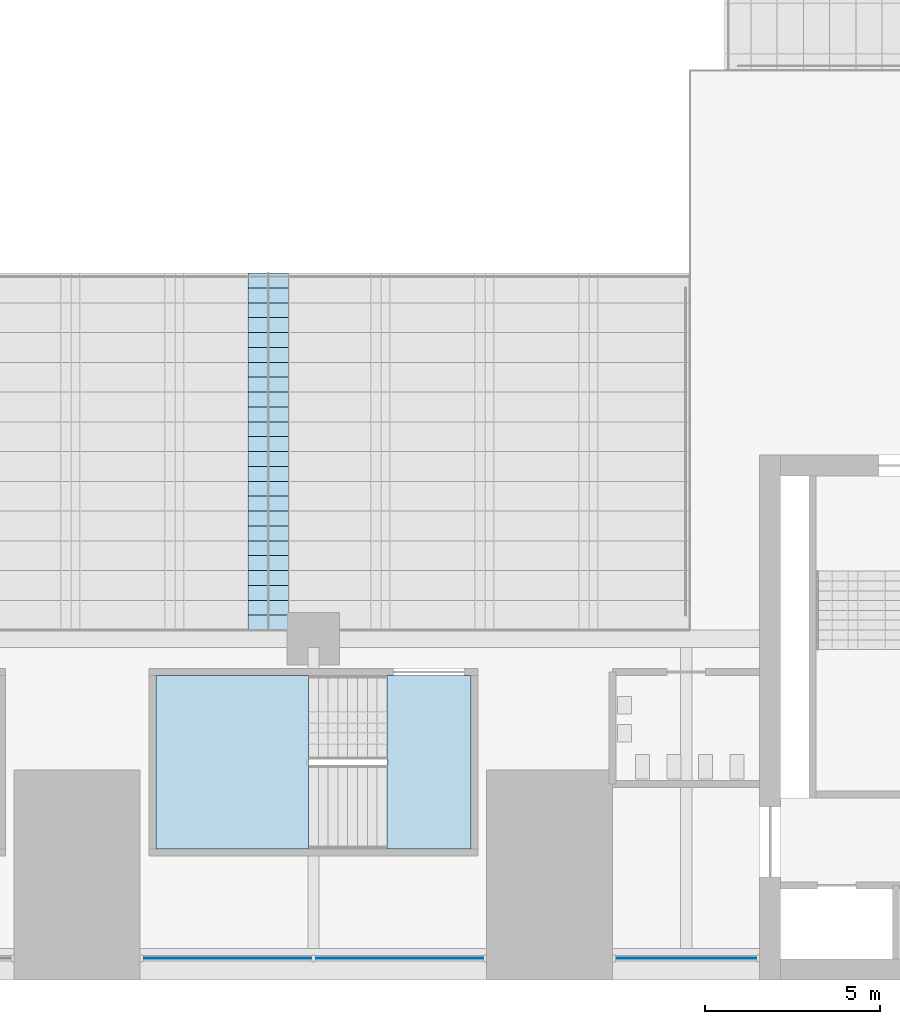
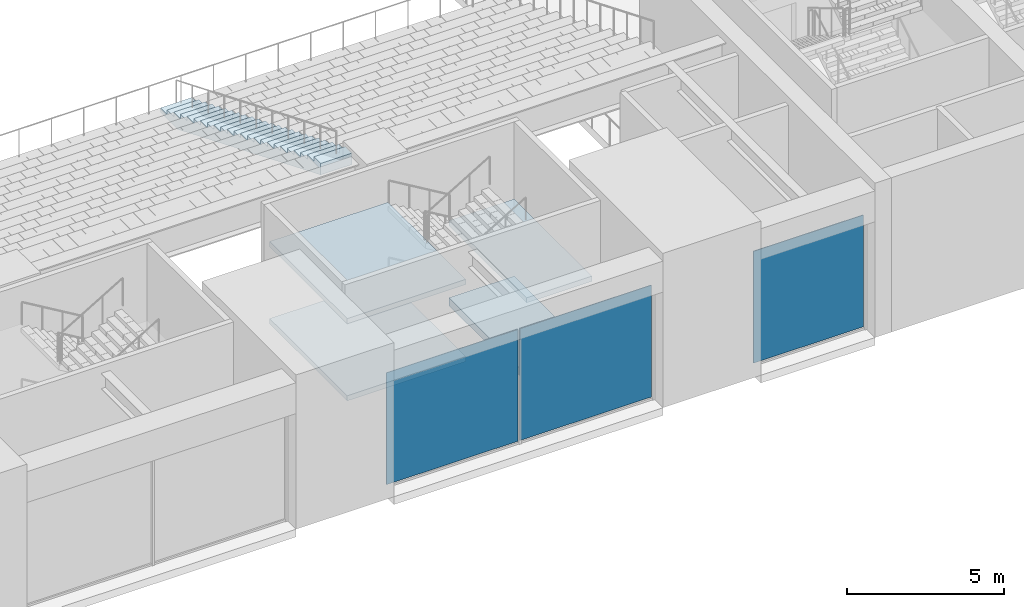
# One storey, part 22 of 61: 5 slabs, 3 plates, 3 elements without a shape of their own.
"""IFC4 building model written with IfcOpenShell, lengths in metres."""

from ifc_helpers import new_model, si_unit, direction, frame, origin, origin_2d, place, context, subcontext, project, spatial, polyline, rectangle, outline, extrude, material, layer, layer_set, type_object, element, aggregate, save


model = new_model("IFC4")

# Units and contexts
model_context = context("Model", 3, precision=1e-05, world=origin(), true_north=direction((0.0, 1.0)))
body_context = subcontext(model_context, "Body", "Model", "MODEL_VIEW")
ifc_project = project(units=[si_unit("LENGTHUNIT", "METRE"), si_unit("AREAUNIT", "SQUARE_METRE"), si_unit("VOLUMEUNIT", "CUBIC_METRE"), si_unit("PLANEANGLEUNIT", "RADIAN"), si_unit("MASSUNIT", "GRAM", prefix="KILO")], contexts=[model_context])

# Site, building, storey
site_placement = place(None, origin())
site = spatial("IfcSite", under=ifc_project, at=site_placement, CompositionType="ELEMENT")
building_placement = place(site_placement, origin())
building = spatial("IfcBuilding", under=site, at=building_placement, Name="Corbelhall Arena Tower", CompositionType="ELEMENT")
storey_placement = place(building_placement, frame((0.0, 0.0, 31.0)))
storey = spatial("IfcBuildingStorey", under=building, at=storey_placement, Name="L04", CompositionType="ELEMENT", Elevation=31.0)

# Slab
ifc_material_1 = material(Name="Precast concrete C40/50", Category="concrete")
ifc_layer_1 = layer(ifc_material_1, 0.25)
ifc_layer_set_1 = layer_set([ifc_layer_1], Name="AISLE STEPS (BC 1029)")
slab_type_1 = type_object("IfcSlabType", Name="AISLE STEPS (BC 1029)", PredefinedType="FLOOR", material=ifc_layer_set_1)
slab_1_placement = place(storey_placement, frame((18.9599609375, -18.800048828125, 1.625), z_axis=(0.0, 0.0, 1.0), x_axis=(0.0, -1.0, 0.0)))
element("IfcSlab", 1, at=slab_1_placement, inside=storey, type_object=slab_type_1, Name="Aisle steps US-AIS1", PredefinedType="FLOOR", context=body_context, shape_type="SweptSolid", body=[
    extrude(outline(polyline([(0.0, 0.0), (0.0, 0.175048828125), (0.425048828125, 0.175048828125), (0.425048828125, 0.35009765625), (0.85009765625, 0.35009765625), (0.85009765625, 0.52490234375), (1.27490234375, 0.52490234375), (1.27490234375, 0.699951171875), (1.699951171875, 0.699951171875), (1.699951171875, 0.875), (2.125, 0.875), (2.125, 1.050048828125), (2.550048828125, 1.050048828125), (2.550048828125, 1.22509765625), (2.97509765625, 1.22509765625), (2.97509765625, 1.39990234375), (3.39990234375, 1.39990234375), (3.39990234375, 1.574951171875), (3.824951171875, 1.574951171875), (3.824951171875, 1.75), (4.25, 1.75), (4.25, 1.925048828125), (4.675048828125, 1.925048828125), (4.675048828125, 2.10009765625), (5.10009765625, 2.10009765625), (5.10009765625, 2.27490234375), (5.52490234375, 2.27490234375), (5.52490234375, 2.449951171875), (5.949951171875, 2.449951171875), (5.949951171875, 2.625), (6.375, 2.625), (6.375, 2.800048828125), (6.800048828125, 2.800048828125), (6.800048828125, 2.97509765625), (7.22509765625, 2.97509765625), (7.22509765625, 3.14990234375), (7.64990234375, 3.14990234375), (7.64990234375, 3.324951171875), (8.074951171875, 3.324951171875), (8.074951171875, 3.5), (8.5, 3.5), (8.5, 3.675048828125), (8.925048828125, 3.675048828125), (8.925048828125, 3.85009765625), (9.35009765625, 3.85009765625), (9.35009765625, 4.02490234375), (9.77490234375, 4.02490234375), (9.77490234375, 4.199951171875), (10.199951171875, 4.199951171875), (10.199951171875, 4.375), (10.199951171875, 3.754638671875), (1.081787109375, 0.0), (0.0, 0.0)])), frame((0.0, 0.580078125, 0.0), z_axis=(0.0, -1.0, 0.0), x_axis=(1.0, 0.0, 0.0)), (0.0, 0.0, 1.0), 1.159912109375),
])

# Stair, slabs
ifc_material_2 = material(Name="Reinforced concrete C40/50", Category="concrete")
stair_type = type_object("IfcStairType", Name="AR-EXIT-STAIR", PredefinedType="HALF_TURN_STAIR", material=ifc_material_2)
stair_placement = place(storey_placement, origin())
stair = element("IfcStair", 2, at=stair_placement, inside=storey, type_object=stair_type, Name="L04 exit stair AS16", PredefinedType="HALF_TURN_STAIR")
ifc_layer_2 = layer(ifc_material_2, 0.199951171875)
ifc_layer_set_2 = layer_set([ifc_layer_2], Name="AR-EXIT-LANDING")
slab_type_2 = type_object("IfcSlabType", Name="AR-EXIT-LANDING", PredefinedType="LANDING", material=ifc_layer_set_2)
slab_2_placement = place(storey_placement, frame((0.0, 0.0, 1.300048828125)))
slab_2 = element("IfcSlab", 3, at=slab_2_placement, type_object=slab_type_2, Name="AS16 landing 1", PredefinedType="LANDING", context=body_context, shape_type="SweptSolid", body=[
    extrude(outline(polyline([(20.110107421875, -30.300048828125), (15.75, -30.300048828125), (15.75, -35.25), (20.110107421875, -35.25), (20.110107421875, -30.300048828125)])), origin(), (0.0, 0.0, 1.0), 0.199951171875),
])
slab_3_placement = place(storey_placement, frame((0.0, 0.0, 2.800048828125)))
slab_3 = element("IfcSlab", 4, at=slab_3_placement, type_object=slab_type_2, Name="AS16 landing 2", PredefinedType="LANDING", context=body_context, shape_type="SweptSolid", body=[
    extrude(outline(polyline([(24.75, -30.300048828125), (22.35009765625, -30.300048828125), (22.35009765625, -35.25), (24.75, -35.25), (24.75, -30.300048828125)])), origin(), (0.0, 0.0, 1.0), 0.199951171875),
])
slab_4_placement = place(storey_placement, frame((0.0, 0.0, 4.300048828125)))
slab_4 = element("IfcSlab", 5, at=slab_4_placement, type_object=slab_type_2, Name="AS16 landing 3", PredefinedType="LANDING", context=body_context, shape_type="SweptSolid", body=[
    extrude(outline(polyline([(20.110107421875, -30.300048828125), (15.75, -30.300048828125), (15.75, -35.25), (20.110107421875, -35.25), (20.110107421875, -30.300048828125)])), origin(), (0.0, 0.0, 1.0), 0.199951171875),
])
aggregate(stair, [slab_2, slab_3, slab_4])

# Slab
ifc_layer_3 = layer(ifc_material_2, 0.300048828125)
ifc_layer_set_3 = layer_set([ifc_layer_3], Name="AR-STAIR-FLOOR")
slab_type_3 = type_object("IfcSlabType", Name="AR-STAIR-FLOOR", PredefinedType="FLOOR", material=ifc_layer_set_3)
slab_5_placement = place(storey_placement, frame((0.0, 0.0, -0.300048828125)))
element("IfcSlab", 6, at=slab_5_placement, inside=storey, type_object=slab_type_3, Name="Stair AS16 floor", PredefinedType="FLOOR", context=body_context, shape_type="SweptSolid", body=[
    extrude(outline(polyline([(24.75, -30.300048828125), (24.75, -35.25), (22.346923828125, -35.25), (22.346923828125, -30.300048828125), (24.75, -30.300048828125)])), origin(), (0.0, 0.0, 1.0), 0.300048828125),
])

# Curtain wall, plates
ifc_material_3 = material(Name="Aluminium black anodised", Category="aluminium")
ifc_layer_4 = layer(ifc_material_3, 0.239990234375)
ifc_layer_set_4 = layer_set([ifc_layer_4], Name="EV-CW4 Arena concourse glazing")
curtain_wall_type = type_object("IfcCurtainWallType", Name="EV-CW4 Arena concourse glazing", PredefinedType="NOTDEFINED", material=ifc_layer_set_4)
curtain_wall_1_placement = place(storey_placement, origin())
curtain_wall_1 = element("IfcCurtainWall", 7, at=curtain_wall_1_placement, inside=storey, type_object=curtain_wall_type, Name="Curtain wall CW4", PredefinedType="NOTDEFINED")
ifc_material_4 = material(Name="Glass dark tinted laminated", Category="glass")
ifc_layer_5 = layer(ifc_material_4, 0.028076171875)
ifc_layer_set_5 = layer_set([ifc_layer_5], Name="EV-CW4-PANEL")
plate_type = type_object("IfcPlateType", Name="EV-CW4-PANEL", PredefinedType="CURTAIN_PANEL", material=ifc_layer_set_5)
plate_1_placement = place(storey_placement, frame((17.793701171875, -38.3798828125, 0.074951171875), z_axis=(0.0, 0.0, 1.0), x_axis=(1.0, 0.0, 0.0)))
plate_1 = element("IfcPlate", 8, at=plate_1_placement, type_object=plate_type, Name="CW4 panel 1.1", PredefinedType="CURTAIN_PANEL", context=body_context, shape_type="SweptSolid", body=[
    extrude(rectangle(XDim=4.83740234375, YDim=0.028076171875, at=origin_2d()), origin(), (0.0, 0.0, 1.0), 4.35009765625),
])
plate_2_placement = place(storey_placement, frame((22.706298828125, -38.3798828125, 0.074951171875), z_axis=(0.0, 0.0, 1.0), x_axis=(1.0, 0.0, 0.0)))
plate_2 = element("IfcPlate", 9, at=plate_2_placement, type_object=plate_type, Name="CW4 panel 2.1", PredefinedType="CURTAIN_PANEL", context=body_context, shape_type="SweptSolid", body=[
    extrude(rectangle(XDim=4.83740234375, YDim=0.028076171875, at=origin_2d()), origin(), (0.0, 0.0, 1.0), 4.35009765625),
])
aggregate(curtain_wall_1, [plate_1, plate_2])

# Curtain wall, plate
curtain_wall_2_placement = place(storey_placement, origin())
curtain_wall_2 = element("IfcCurtainWall", 10, at=curtain_wall_2_placement, inside=storey, type_object=curtain_wall_type, Name="Curtain wall CW4A", PredefinedType="NOTDEFINED")
plate_3_placement = place(storey_placement, frame((30.89990234375, -38.3798828125, 0.074951171875), z_axis=(0.0, 0.0, 1.0), x_axis=(1.0, 0.0, 0.0)))
plate_3 = element("IfcPlate", 11, at=plate_3_placement, type_object=plate_type, Name="CW4A panel 1.1", PredefinedType="CURTAIN_PANEL", context=body_context, shape_type="SweptSolid", body=[
    extrude(rectangle(XDim=4.050048828125, YDim=0.028076171875, at=origin_2d()), origin(), (0.0, 0.0, 1.0), 4.35009765625),
])
aggregate(curtain_wall_2, [plate_3])

save(model, "model.ifc")
